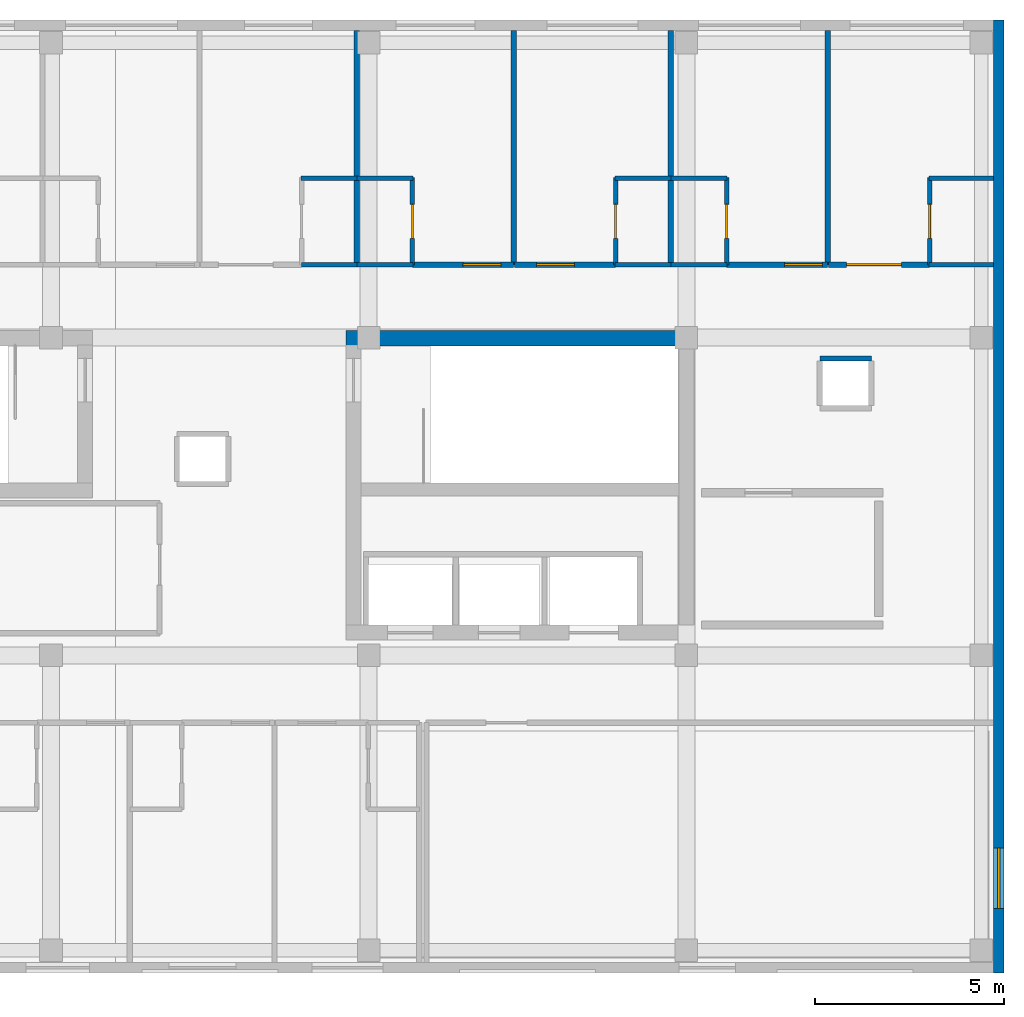
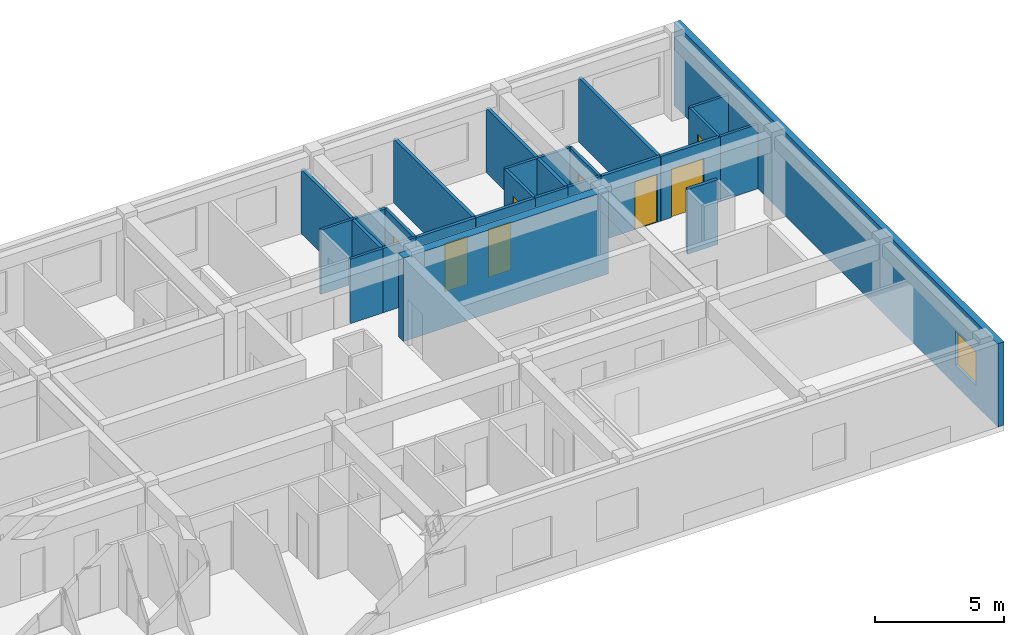
# One storey, part 6 of 7: 25 walls, 8 doors, 1 window, 9 openings.
"""IFC4 building model written with IfcOpenShell, lengths in metres."""

from ifc_helpers import new_model, si_unit, direction, frame, frame_2d, origin, place, context, subcontext, project, spatial, rectangle, extrude, material, layer, layer_set, type_object, element, fill, save


model = new_model("IFC4")

# Units and contexts
model_context = context("Model", 3, precision=1e-05, world=origin(), true_north=direction((0.0, 1.0)))
body_context = subcontext(model_context, "Body", "Model", "MODEL_VIEW")
ifc_project = project(units=[si_unit("LENGTHUNIT", "METRE"), si_unit("AREAUNIT", "SQUARE_METRE"), si_unit("VOLUMEUNIT", "CUBIC_METRE"), si_unit("PLANEANGLEUNIT", "RADIAN"), si_unit("MASSUNIT", "GRAM", prefix="KILO")], contexts=[model_context])

# Site, building, storey
site_placement = place(None, origin())
site = spatial("IfcSite", under=ifc_project, at=site_placement, CompositionType="ELEMENT")
building_placement = place(site_placement, origin())
building = spatial("IfcBuilding", under=site, at=building_placement, Name="Zayran Congress Hotel", CompositionType="ELEMENT")
storey_placement = place(building_placement, frame((0.0, 0.0, 44.39990234375)))
storey = spatial("IfcBuildingStorey", under=building, at=storey_placement, Name="L11", CompositionType="ELEMENT", Elevation=44.39990234375)

# Wall, opening, window
ifc_material_1 = material(Name="Hajar Ma'ani limestone cavity wall and concrete C32/40", Category="masonry")
ifc_layer_1 = layer(ifc_material_1, 0.280029296875)
ifc_layer_set_1 = layer_set([ifc_layer_1], Name="Hajar Ma'ani limestone cavity wall and concrete C32/40")
wall_type_1 = type_object("IfcWallType", Name="WL-EX-280", PredefinedType="SOLIDWALL", material=ifc_layer_set_1)
wall_1_placement = place(storey_placement, frame((67.06005859375, 34.0, 0.0), z_axis=(0.0, 0.0, 1.0), x_axis=(0.0, -1.0, 0.0)))
wall_1 = element("IfcWall", 1, at=wall_1_placement, inside=storey, type_object=wall_type_1, Name="EW-V5-E-L11", PredefinedType="SOLIDWALL", context=body_context, shape_type="SweptSolid", body=[
    extrude(rectangle(XDim=25.199951171875, YDim=0.280029296875, at=frame_2d((12.60009765625, 0.0))), origin(), (0.0, 0.0, 1.0), 3.960205078125),
])
opening_1_placement = place(wall_1_placement, frame((21.89990234375, 0.0, 0.949951171875)))
opening_1 = element("IfcOpeningElement", 2, at=opening_1_placement, cuts=wall_1, Name="Opening WN-15", PredefinedType="OPENING", context=body_context, shape_type="SweptSolid", body=[
    extrude(rectangle(XDim=1.60009765625, YDim=1.60009765625, at=frame_2d((0.800048828125, 0.800048828125))), frame((0.0, 0.14990234375, 0.0), z_axis=(0.0, -1.0, 0.0), x_axis=(1.0, 0.0, 0.0)), (0.0, 0.0, 1.0), 0.300048828125),
])
ifc_material_2 = material(Name="Anodised aluminium and low-E insulated glass", Category="aluminium")
window_type = type_object("IfcWindowType", Name="TP-WN-15", PartitioningType="SINGLE_PANEL", PredefinedType="WINDOW", material=ifc_material_2)
window_placement = place(opening_1_placement, origin())
window = element("IfcWindow", 3, at=window_placement, inside=storey, type_object=window_type, Name="WIN-V5E-L11", OverallHeight=1.60009765625, OverallWidth=1.60009765625, PartitioningType="SINGLE_PANEL", PredefinedType="WINDOW", context=body_context, shape_type="SweptSolid", body=[
    extrude(rectangle(XDim=1.60009765625, YDim=1.60009765625, at=frame_2d((0.800048828125, 0.800048828125))), frame((0.0, 0.030029296875, 0.0), z_axis=(0.0, -1.0, 0.0), x_axis=(1.0, 0.0, 0.0)), (0.0, 0.0, 1.0), 0.06005859375),
])
fill(opening_1, window)

# Wall
ifc_material_3 = material(Name="Concrete C40/50", Category="concrete")
ifc_layer_2 = layer(ifc_material_3, 0.39990234375)
ifc_layer_set_2 = layer_set([ifc_layer_2], Name="Concrete C40/50")
wall_type_2 = type_object("IfcWallType", Name="WL-SH-400", PredefinedType="SHEAR", material=ifc_layer_set_2)
wall_2_placement = place(storey_placement, frame((59.0, 25.5849609375, 0.0), z_axis=(0.0, 0.0, 1.0), x_axis=(-1.0, 0.0, 0.0)))
element("IfcWall", 4, at=wall_2_placement, inside=storey, type_object=wall_type_2, Name="CWALL-C-V5E-L11-N", PredefinedType="SHEAR", context=body_context, shape_type="SweptSolid", body=[
    extrude(rectangle(XDim=9.199951171875, YDim=0.39990234375, at=frame_2d((4.60009765625, 0.0))), origin(), (0.0, 0.0, 1.0), 3.960205078125),
])

# Wall, opening, door
ifc_material_4 = material(Name="Hospitality guestroom acoustic partition", Category="gypsum")
ifc_layer_3 = layer(ifc_material_4, 0.139892578125)
ifc_layer_set_3 = layer_set([ifc_layer_3], Name="Hospitality guestroom acoustic partition")
wall_type_3 = type_object("IfcWallType", Name="WL-PT-140", PredefinedType="PARTITIONING", material=ifc_layer_set_3)
wall_3_placement = place(storey_placement, frame((51.55810546875, 27.530029296875, 0.0), z_axis=(0.0, 0.0, 1.0), x_axis=(1.0, 0.0, 0.0)))
wall_3 = element("IfcWall", 5, at=wall_3_placement, inside=storey, type_object=wall_type_3, Name="IW-L11-0855", PredefinedType="PARTITIONING", context=body_context, shape_type="SweptSolid", body=[
    extrude(rectangle(XDim=2.6748046875, YDim=0.139892578125, at=frame_2d((1.33740234375, 0.0))), origin(), (0.0, 0.0, 1.0), 3.06005859375),
])
opening_2_placement = place(wall_3_placement, frame((1.3359375, 0.0, 0.0)))
opening_2 = element("IfcOpeningElement", 6, at=opening_2_placement, cuts=wall_3, Name="Opening DR-GR-04", PredefinedType="OPENING", context=body_context, shape_type="SweptSolid", body=[
    extrude(rectangle(XDim=1.0, YDim=2.280029296875, at=frame_2d((0.5, 1.14013671875))), frame((0.0, 0.079833984375, 0.0), z_axis=(0.0, -1.0, 0.0), x_axis=(1.0, 0.0, 0.0)), (0.0, 0.0, 1.0), 0.159912109375),
])
ifc_material_5 = material(Name="Diplomatic walnut veneer entry door", Category="wood")
door_type_1 = type_object("IfcDoorType", Name="TP-DR-GR-04", OperationType="NOTDEFINED", PredefinedType="DOOR", material=ifc_material_5)
door_1_placement = place(opening_2_placement, origin())
door_1 = element("IfcDoor", 7, at=door_1_placement, inside=storey, type_object=door_type_1, Name="Guest Room L11-15 Door", OperationType="SINGLE_SWING_LEFT", OverallHeight=2.280029296875, OverallWidth=1.0, PredefinedType="DOOR", context=body_context, shape_type="SweptSolid", body=[
    extrude(rectangle(XDim=1.0, YDim=2.280029296875, at=frame_2d((0.5, 1.14013671875))), frame((0.0, 0.02490234375, 0.0), z_axis=(0.0, -1.0, 0.0), x_axis=(1.0, 0.0, 0.0)), (0.0, 0.0, 1.0), 0.050048828125),
])
fill(opening_2, door_1)

wall_4_placement = place(storey_placement, frame((54.2529296875, 27.530029296875, 0.0), z_axis=(0.0, 0.0, 1.0), x_axis=(1.0, 0.0, 0.0)))
wall_4 = element("IfcWall", 8, at=wall_4_placement, inside=storey, type_object=wall_type_3, Name="IW-L11-0856", PredefinedType="PARTITIONING", context=body_context, shape_type="SweptSolid", body=[
    extrude(rectangle(XDim=2.675048828125, YDim=0.139892578125, at=frame_2d((1.33740234375, 0.0))), origin(), (0.0, 0.0, 1.0), 3.06005859375),
])
opening_3_placement = place(wall_4_placement, frame((0.587890625, 0.0, 0.0)))
opening_3 = element("IfcOpeningElement", 9, at=opening_3_placement, cuts=wall_4, Name="Opening DR-GR-04", PredefinedType="OPENING", context=body_context, shape_type="SweptSolid", body=[
    extrude(rectangle(XDim=1.0, YDim=2.280029296875, at=frame_2d((0.5, 1.14013671875))), frame((0.0, 0.079833984375, 0.0), z_axis=(0.0, -1.0, 0.0), x_axis=(1.0, 0.0, 0.0)), (0.0, 0.0, 1.0), 0.159912109375),
])
door_2_placement = place(opening_3_placement, origin())
door_2 = element("IfcDoor", 10, at=door_2_placement, inside=storey, type_object=door_type_1, Name="Guest Room L11-16 Door", OperationType="SINGLE_SWING_RIGHT", OverallHeight=2.280029296875, OverallWidth=1.0, PredefinedType="DOOR", context=body_context, shape_type="SweptSolid", body=[
    extrude(rectangle(XDim=1.0, YDim=2.280029296875, at=frame_2d((0.5, 1.14013671875))), frame((0.0, 0.02490234375, 0.0), z_axis=(0.0, -1.0, 0.0), x_axis=(1.0, 0.0, 0.0)), (0.0, 0.0, 1.0), 0.050048828125),
])
fill(opening_3, door_2)

wall_5_placement = place(storey_placement, frame((59.863037109375, 27.530029296875, 0.0), z_axis=(0.0, 0.0, 1.0), x_axis=(1.0, 0.0, 0.0)))
wall_5 = element("IfcWall", 11, at=wall_5_placement, inside=storey, type_object=wall_type_3, Name="IW-L11-0857", PredefinedType="PARTITIONING", context=body_context, shape_type="SweptSolid", body=[
    extrude(rectangle(XDim=2.675048828125, YDim=0.139892578125, at=frame_2d((1.33740234375, 0.0))), origin(), (0.0, 0.0, 1.0), 3.06005859375),
])
opening_4_placement = place(wall_5_placement, frame((1.534912109375, 0.0, 0.0)))
opening_4 = element("IfcOpeningElement", 12, at=opening_4_placement, cuts=wall_5, Name="Opening DR-GR-04", PredefinedType="OPENING", context=body_context, shape_type="SweptSolid", body=[
    extrude(rectangle(XDim=1.0, YDim=2.280029296875, at=frame_2d((0.5, 1.14013671875))), frame((0.0, 0.079833984375, 0.0), z_axis=(0.0, -1.0, 0.0), x_axis=(1.0, 0.0, 0.0)), (0.0, 0.0, 1.0), 0.159912109375),
])
door_3_placement = place(opening_4_placement, origin())
door_3 = element("IfcDoor", 13, at=door_3_placement, inside=storey, type_object=door_type_1, Name="Guest Room L11-17 Door", OperationType="SINGLE_SWING_LEFT", OverallHeight=2.280029296875, OverallWidth=1.0, PredefinedType="DOOR", context=body_context, shape_type="SweptSolid", body=[
    extrude(rectangle(XDim=1.0, YDim=2.280029296875, at=frame_2d((0.5, 1.14013671875))), frame((0.0, 0.02490234375, 0.0), z_axis=(0.0, -1.0, 0.0), x_axis=(1.0, 0.0, 0.0)), (0.0, 0.0, 1.0), 0.050048828125),
])
fill(opening_4, door_3)

wall_6_placement = place(storey_placement, frame((62.55810546875, 27.530029296875, 0.0), z_axis=(0.0, 0.0, 1.0), x_axis=(1.0, 0.0, 0.0)))
wall_6 = element("IfcWall", 14, at=wall_6_placement, inside=storey, type_object=wall_type_3, Name="IW-L11-0858", PredefinedType="PARTITIONING", context=body_context, shape_type="SweptSolid", body=[
    extrude(rectangle(XDim=2.6748046875, YDim=0.139892578125, at=frame_2d((1.33740234375, 0.0))), origin(), (0.0, 0.0, 1.0), 3.06005859375),
])
opening_5_placement = place(wall_6_placement, frame((0.47705078125, 0.0, 0.0)))
opening_5 = element("IfcOpeningElement", 15, at=opening_5_placement, cuts=wall_6, Name="Opening DR-ST-01", PredefinedType="OPENING", context=body_context, shape_type="SweptSolid", body=[
    extrude(rectangle(XDim=1.449951171875, YDim=2.300048828125, at=frame_2d((0.72509765625, 1.14990234375))), frame((0.0, 0.079833984375, 0.0), z_axis=(0.0, -1.0, 0.0), x_axis=(1.0, 0.0, 0.0)), (0.0, 0.0, 1.0), 0.159912109375),
])
ifc_material_6 = material(Name="Double walnut veneer suite entry door", Category="wood")
door_type_2 = type_object("IfcDoorType", Name="TP-DR-ST-01", OperationType="DOUBLE_DOOR_SINGLE_SWING", PredefinedType="DOOR", material=ifc_material_6)
door_4_placement = place(opening_5_placement, origin())
door_4 = element("IfcDoor", 16, at=door_4_placement, inside=storey, type_object=door_type_2, Name="Executive Suite L11-18 Door", OperationType="DOUBLE_DOOR_SINGLE_SWING", OverallHeight=2.300048828125, OverallWidth=1.449951171875, PredefinedType="DOOR", context=body_context, shape_type="SweptSolid", body=[
    extrude(rectangle(XDim=1.449951171875, YDim=2.300048828125, at=frame_2d((0.72509765625, 1.14990234375))), frame((0.0, 0.02490234375, 0.0), z_axis=(0.0, -1.0, 0.0), x_axis=(1.0, 0.0, 0.0)), (0.0, 0.0, 1.0), 0.050048828125),
])
fill(opening_5, door_4)

# Walls
for number, where, z_axis, x_axis, name in (
    (17, (50.0810546875, 27.52001953125, 0.0), (0.0, 0.0, 1.0), (0.0, 1.0, 0.0), "IW-L11-2190"),
    (18, (54.23291015625, 27.52001953125, 0.0), (0.0, 0.0, 1.0), (0.0, 1.0, 0.0), "IW-L11-2191"),
    (19, (58.385986328125, 27.52001953125, 0.0), (0.0, 0.0, 1.0), (0.0, 1.0, 0.0), "IW-L11-2192"),
    (20, (62.5380859375, 27.52001953125, 0.0), (0.0, 0.0, 1.0), (0.0, 1.0, 0.0), "IW-L11-2193"),
):
    element("IfcWall", number, at=place(storey_placement, frame(where, z_axis=z_axis, x_axis=x_axis)), inside=storey, type_object=wall_type_3, Name=name, PredefinedType="PARTITIONING", context=body_context, shape_type="SweptSolid", body=[
        extrude(rectangle(XDim=6.199951171875, YDim=0.139892578125, at=frame_2d((3.10009765625, 0.0))), origin(), (0.0, 0.0, 1.0), 3.06005859375),
    ])
wall_7_placement = place(storey_placement, frame((63.68994140625, 25.050048828125, 0.0), z_axis=(0.0, 0.0, 1.0), x_axis=(-1.0, 0.0, 0.0)))
element("IfcWall", 21, at=wall_7_placement, inside=storey, type_object=wall_type_3, Name="RSWL-V5-L11-058-N", PredefinedType="PARTITIONING", context=body_context, shape_type="SweptSolid", body=[
    extrude(rectangle(XDim=1.35986328125, YDim=0.139892578125, at=frame_2d((0.679931640625, 0.0))), origin(), (0.0, 0.0, 1.0), 3.080078125),
])

# Wall, opening, door
ifc_material_7 = material(Name="Moisture-resistant bathroom partition", Category="gypsum")
ifc_layer_4 = layer(ifc_material_7, 0.1201171875)
ifc_layer_set_4 = layer_set([ifc_layer_4], Name="Moisture-resistant bathroom partition")
wall_type_4 = type_object("IfcWallType", Name="WL-PT-120", PredefinedType="PARTITIONING", material=ifc_layer_set_4)
wall_8_placement = place(storey_placement, frame((51.55810546875, 27.52001953125, 0.0), z_axis=(0.0, 0.0, 1.0), x_axis=(0.0, 1.0, 0.0)))
wall_8 = element("IfcWall", 22, at=wall_8_placement, inside=storey, type_object=wall_type_4, Name="IW-L11-0331", PredefinedType="PARTITIONING", context=body_context, shape_type="SweptSolid", body=[
    extrude(rectangle(XDim=2.31005859375, YDim=0.1201171875, at=frame_2d((1.155029296875, 0.0))), origin(), (0.0, 0.0, 1.0), 3.06005859375),
])
opening_6_placement = place(wall_8_placement, frame((0.705078125, 0.0, 0.0)))
opening_6 = element("IfcOpeningElement", 23, at=opening_6_placement, cuts=wall_8, Name="Opening DR-BT-03", PredefinedType="OPENING", context=body_context, shape_type="SweptSolid", body=[
    extrude(rectangle(XDim=0.89990234375, YDim=2.179931640625, at=frame_2d((0.449951171875, 1.08984375))), frame((0.0, 0.070068359375, 0.0), z_axis=(0.0, -1.0, 0.0), x_axis=(1.0, 0.0, 0.0)), (0.0, 0.0, 1.0), 0.14013671875),
])
ifc_material_8 = material(Name="Suite oak en-suite bathroom door", Category="wood")
door_type_3 = type_object("IfcDoorType", Name="TP-DR-BT-03", OperationType="NOTDEFINED", PredefinedType="DOOR", material=ifc_material_8)
door_5_placement = place(opening_6_placement, origin())
door_5 = element("IfcDoor", 24, at=door_5_placement, inside=storey, type_object=door_type_3, Name="En-Suite Bathroom L11-15 Door", OperationType="SINGLE_SWING_RIGHT", OverallHeight=2.179931640625, OverallWidth=0.89990234375, PredefinedType="DOOR", context=body_context, shape_type="SweptSolid", body=[
    extrude(rectangle(XDim=0.89990234375, YDim=2.179931640625, at=frame_2d((0.449951171875, 1.08984375))), frame((0.0, 0.02490234375, 0.0), z_axis=(0.0, -1.0, 0.0), x_axis=(1.0, 0.0, 0.0)), (0.0, 0.0, 1.0), 0.050048828125),
])
fill(opening_6, door_5)

wall_9_placement = place(storey_placement, frame((56.927978515625, 27.52001953125, 0.0), z_axis=(0.0, 0.0, 1.0), x_axis=(0.0, 1.0, 0.0)))
wall_9 = element("IfcWall", 25, at=wall_9_placement, inside=storey, type_object=wall_type_4, Name="IW-L11-0332", PredefinedType="PARTITIONING", context=body_context, shape_type="SweptSolid", body=[
    extrude(rectangle(XDim=2.31005859375, YDim=0.1201171875, at=frame_2d((1.155029296875, 0.0))), origin(), (0.0, 0.0, 1.0), 3.06005859375),
])
opening_7_placement = place(wall_9_placement, frame((0.705078125, 0.0, 0.0)))
opening_7 = element("IfcOpeningElement", 26, at=opening_7_placement, cuts=wall_9, Name="Opening DR-BT-03", PredefinedType="OPENING", context=body_context, shape_type="SweptSolid", body=[
    extrude(rectangle(XDim=0.89990234375, YDim=2.179931640625, at=frame_2d((0.449951171875, 1.08984375))), frame((0.0, 0.070068359375, 0.0), z_axis=(0.0, -1.0, 0.0), x_axis=(1.0, 0.0, 0.0)), (0.0, 0.0, 1.0), 0.14013671875),
])
door_6_placement = place(opening_7_placement, origin())
door_6 = element("IfcDoor", 27, at=door_6_placement, inside=storey, type_object=door_type_3, Name="En-Suite Bathroom L11-16 Door", OperationType="SINGLE_SWING_LEFT", OverallHeight=2.179931640625, OverallWidth=0.89990234375, PredefinedType="DOOR", context=body_context, shape_type="SweptSolid", body=[
    extrude(rectangle(XDim=0.89990234375, YDim=2.179931640625, at=frame_2d((0.449951171875, 1.08984375))), frame((0.0, 0.02490234375, 0.0), z_axis=(0.0, -1.0, 0.0), x_axis=(1.0, 0.0, 0.0)), (0.0, 0.0, 1.0), 0.050048828125),
])
fill(opening_7, door_6)

wall_10_placement = place(storey_placement, frame((59.863037109375, 27.52001953125, 0.0), z_axis=(0.0, 0.0, 1.0), x_axis=(0.0, 1.0, 0.0)))
wall_10 = element("IfcWall", 28, at=wall_10_placement, inside=storey, type_object=wall_type_4, Name="IW-L11-0333", PredefinedType="PARTITIONING", context=body_context, shape_type="SweptSolid", body=[
    extrude(rectangle(XDim=2.31005859375, YDim=0.1201171875, at=frame_2d((1.155029296875, 0.0))), origin(), (0.0, 0.0, 1.0), 3.06005859375),
])
opening_8_placement = place(wall_10_placement, frame((0.705078125, 0.0, 0.0)))
opening_8 = element("IfcOpeningElement", 29, at=opening_8_placement, cuts=wall_10, Name="Opening DR-BT-03", PredefinedType="OPENING", context=body_context, shape_type="SweptSolid", body=[
    extrude(rectangle(XDim=0.89990234375, YDim=2.179931640625, at=frame_2d((0.449951171875, 1.08984375))), frame((0.0, 0.070068359375, 0.0), z_axis=(0.0, -1.0, 0.0), x_axis=(1.0, 0.0, 0.0)), (0.0, 0.0, 1.0), 0.14013671875),
])
door_7_placement = place(opening_8_placement, origin())
door_7 = element("IfcDoor", 30, at=door_7_placement, inside=storey, type_object=door_type_3, Name="En-Suite Bathroom L11-17 Door", OperationType="SINGLE_SWING_RIGHT", OverallHeight=2.179931640625, OverallWidth=0.89990234375, PredefinedType="DOOR", context=body_context, shape_type="SweptSolid", body=[
    extrude(rectangle(XDim=0.89990234375, YDim=2.179931640625, at=frame_2d((0.449951171875, 1.08984375))), frame((0.0, 0.02490234375, 0.0), z_axis=(0.0, -1.0, 0.0), x_axis=(1.0, 0.0, 0.0)), (0.0, 0.0, 1.0), 0.050048828125),
])
fill(opening_8, door_7)

wall_11_placement = place(storey_placement, frame((65.23291015625, 27.52001953125, 0.0), z_axis=(0.0, 0.0, 1.0), x_axis=(0.0, 1.0, 0.0)))
wall_11 = element("IfcWall", 31, at=wall_11_placement, inside=storey, type_object=wall_type_4, Name="IW-L11-0334", PredefinedType="PARTITIONING", context=body_context, shape_type="SweptSolid", body=[
    extrude(rectangle(XDim=2.31005859375, YDim=0.1201171875, at=frame_2d((1.155029296875, 0.0))), origin(), (0.0, 0.0, 1.0), 3.06005859375),
])
opening_9_placement = place(wall_11_placement, frame((0.705078125, 0.0, 0.0)))
opening_9 = element("IfcOpeningElement", 32, at=opening_9_placement, cuts=wall_11, Name="Opening DR-BT-03", PredefinedType="OPENING", context=body_context, shape_type="SweptSolid", body=[
    extrude(rectangle(XDim=0.89990234375, YDim=2.179931640625, at=frame_2d((0.449951171875, 1.08984375))), frame((0.0, 0.070068359375, 0.0), z_axis=(0.0, -1.0, 0.0), x_axis=(1.0, 0.0, 0.0)), (0.0, 0.0, 1.0), 0.14013671875),
])
door_8_placement = place(opening_9_placement, origin())
door_8 = element("IfcDoor", 33, at=door_8_placement, inside=storey, type_object=door_type_3, Name="En-Suite Bathroom L11-18 Door", OperationType="SINGLE_SWING_LEFT", OverallHeight=2.179931640625, OverallWidth=0.89990234375, PredefinedType="DOOR", context=body_context, shape_type="SweptSolid", body=[
    extrude(rectangle(XDim=0.89990234375, YDim=2.179931640625, at=frame_2d((0.449951171875, 1.08984375))), frame((0.0, 0.02490234375, 0.0), z_axis=(0.0, -1.0, 0.0), x_axis=(1.0, 0.0, 0.0)), (0.0, 0.0, 1.0), 0.050048828125),
])
fill(opening_9, door_8)

# Walls
wall_12_placement = place(storey_placement, frame((48.6240234375, 27.530029296875, 0.0), z_axis=(0.0, 0.0, 1.0), x_axis=(1.0, 0.0, 0.0)))
element("IfcWall", 34, at=wall_12_placement, inside=storey, type_object=wall_type_4, Name="IW-L11-1527", PredefinedType="PARTITIONING", context=body_context, shape_type="SweptSolid", body=[
    extrude(rectangle(XDim=1.467041015625, YDim=0.1201171875, at=frame_2d((0.7333984375, 0.0))), origin(), (0.0, 0.0, 1.0), 3.06005859375),
])
for number, where, z_axis, x_axis, name in (
    (35, (48.614013671875, 29.820068359375, 0.0), (0.0, 0.0, 1.0), (1.0, 0.0, 0.0), "IW-L11-1528"),
    (36, (50.091064453125, 27.530029296875, 0.0), (0.0, 0.0, 1.0), (1.0, 0.0, 0.0), "IW-L11-1529"),
    (37, (50.091064453125, 29.820068359375, 0.0), (0.0, 0.0, 1.0), (1.0, 0.0, 0.0), "IW-L11-1530"),
):
    element("IfcWall", number, at=place(storey_placement, frame(where, z_axis=z_axis, x_axis=x_axis)), inside=storey, type_object=wall_type_4, Name=name, PredefinedType="PARTITIONING", context=body_context, shape_type="SweptSolid", body=[
        extrude(rectangle(XDim=1.47705078125, YDim=0.1201171875, at=frame_2d((0.738525390625, 0.0))), origin(), (0.0, 0.0, 1.0), 3.06005859375),
    ])
for number, where, z_axis, x_axis, name in (
    (38, (56.91796875, 27.530029296875, 0.0), (0.0, 0.0, 1.0), (1.0, 0.0, 0.0), "IW-L11-1531"),
    (39, (56.91796875, 29.820068359375, 0.0), (0.0, 0.0, 1.0), (1.0, 0.0, 0.0), "IW-L11-1532"),
):
    element("IfcWall", number, at=place(storey_placement, frame(where, z_axis=z_axis, x_axis=x_axis)), inside=storey, type_object=wall_type_4, Name=name, PredefinedType="PARTITIONING", context=body_context, shape_type="SweptSolid", body=[
        extrude(rectangle(XDim=1.47802734375, YDim=0.1201171875, at=frame_2d((0.739013671875, 0.0))), origin(), (0.0, 0.0, 1.0), 3.06005859375),
    ])
for number, where, z_axis, x_axis, name in (
    (40, (58.39599609375, 27.530029296875, 0.0), (0.0, 0.0, 1.0), (1.0, 0.0, 0.0), "IW-L11-1533"),
    (41, (58.39599609375, 29.820068359375, 0.0), (0.0, 0.0, 1.0), (1.0, 0.0, 0.0), "IW-L11-1534"),
):
    element("IfcWall", number, at=place(storey_placement, frame(where, z_axis=z_axis, x_axis=x_axis)), inside=storey, type_object=wall_type_4, Name=name, PredefinedType="PARTITIONING", context=body_context, shape_type="SweptSolid", body=[
        extrude(rectangle(XDim=1.47705078125, YDim=0.1201171875, at=frame_2d((0.738525390625, 0.0))), origin(), (0.0, 0.0, 1.0), 3.06005859375),
    ])
for number, where, z_axis, x_axis, name in (
    (42, (65.222900390625, 27.530029296875, 0.0), (0.0, 0.0, 1.0), (1.0, 0.0, 0.0), "IW-L11-1535"),
    (43, (65.222900390625, 29.820068359375, 0.0), (0.0, 0.0, 1.0), (1.0, 0.0, 0.0), "IW-L11-1536"),
):
    element("IfcWall", number, at=place(storey_placement, frame(where, z_axis=z_axis, x_axis=x_axis)), inside=storey, type_object=wall_type_4, Name=name, PredefinedType="PARTITIONING", context=body_context, shape_type="SweptSolid", body=[
        extrude(rectangle(XDim=1.697021484375, YDim=0.1201171875, at=frame_2d((0.8486328125, 0.0))), origin(), (0.0, 0.0, 1.0), 3.06005859375),
    ])

save(model, "model.ifc")
